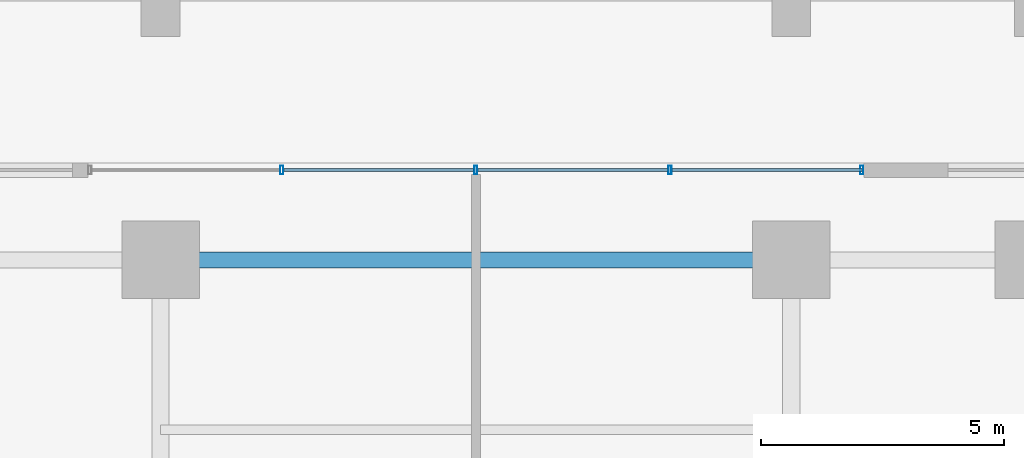
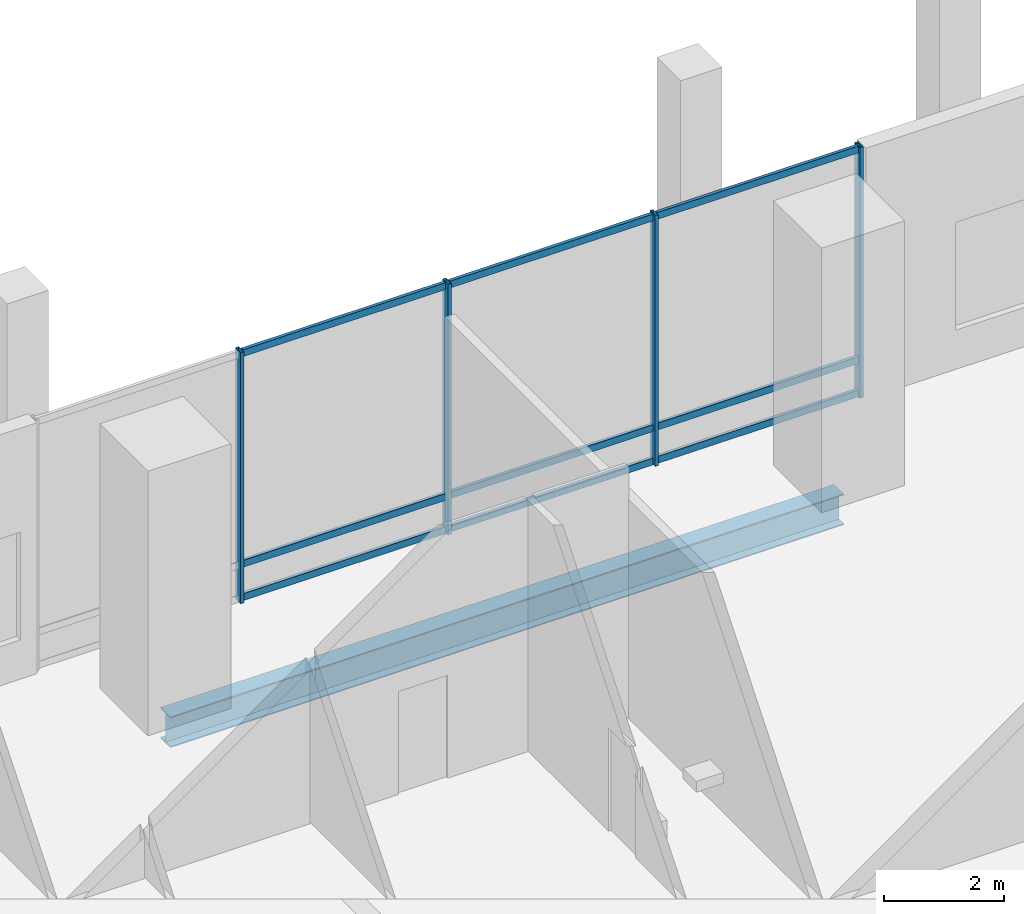
# One storey, part 17 of 36: 13 members, 1 beam, 1 element without a shape of its own.
"""IFC4 building model written with IfcOpenShell, lengths in metres."""

import ifcopenshell
import ifcopenshell.guid

model = None  # the IFC model being written
_history = None  # IfcOwnerHistory: only IFC2X3 demands one
_inside = {}  # id of a spatial element -> (the spatial element, [elements in it])
_under = {}  # id of a project, library or spatial element -> (it, [spatial elements below it])
_declared = {}  # id of a project -> (the project, [libraries it declares])
_typed = {}  # id of a type object -> (the type object, [elements of that type])
_made_of = {}  # id of a material, layer set ... -> (it, [elements and type objects made of it])


def new_model(schema):
    """Start an empty IFC model of exactly this schema.

    Asked for "IFC4X3", IfcOpenShell would pick the latest addendum, in which some entities
    have other attributes; the version numbers below select the first issue.
    IFC2X3 requires an IfcOwnerHistory on every rooted entity: one is made here for all.
    """
    global model, _history
    if schema == "IFC4X3":
        model = ifcopenshell.file(schema_version=(4, 3, 0, 0))
    else:
        model = ifcopenshell.file(schema=schema)
    _inside.clear()
    _under.clear()
    _declared.clear()
    _typed.clear()
    _made_of.clear()
    _history = None
    if model.schema == "IFC2X3":
        org = make("IfcOrganization", Name="unknown")
        user = make(
            "IfcPersonAndOrganization",
            ThePerson=make("IfcPerson", FamilyName="unknown"),
            TheOrganization=org,
        )
        app = make(
            "IfcApplication",
            ApplicationDeveloper=org,
            Version="unknown",
            ApplicationFullName="unknown",
            ApplicationIdentifier="unknown",
        )
        _history = make(
            "IfcOwnerHistory",
            OwningUser=user,
            OwningApplication=app,
            ChangeAction="ADDED",
            CreationDate=0,
        )
    return model


def make(cls, **values):
    """One entity of the class cls with the attributes given. An attribute that is None is left unset."""
    return model.create_entity(
        cls, **{name: value for name, value in values.items() if value is not None}
    )


def rooted(cls, **values):
    """An entity with a GlobalId (a new one), such as an element, a storey or a relation."""
    return make(cls, GlobalId=ifcopenshell.guid.new(), OwnerHistory=_history, **values)


def si_unit(unit_type, name, prefix=None):
    """IfcSIUnit, for example si_unit("LENGTHUNIT", "METRE", prefix="MILLI")."""
    return make("IfcSIUnit", UnitType=unit_type, Prefix=prefix, Name=name)


def assignment(units):
    """IfcUnitAssignment: the units of a project."""
    return None if units is None else make("IfcUnitAssignment", Units=units)


def point(xyz):
    """IfcCartesianPoint."""
    return None if xyz is None else make("IfcCartesianPoint", Coordinates=xyz)


def direction(xyz):
    """IfcDirection."""
    return None if xyz is None else make("IfcDirection", DirectionRatios=xyz)


def frame(location, z_axis=None, x_axis=None):
    """IfcAxis2Placement3D, a coordinate frame: its origin and axes. An axis left out is left unset."""
    return make(
        "IfcAxis2Placement3D",
        Location=point(location),
        Axis=direction(z_axis),
        RefDirection=direction(x_axis),
    )


def frame_2d(location, x_axis=None):
    """IfcAxis2Placement2D, a coordinate frame in the plane: its origin and x axis."""
    return make(
        "IfcAxis2Placement2D", Location=point(location), RefDirection=direction(x_axis)
    )


def origin():
    """The frame at (0, 0, 0) with its axes left unset."""
    return frame((0.0, 0.0, 0.0))


def origin_2d():
    """The frame at (0, 0) in the plane with its x axis left unset."""
    return frame_2d((0.0, 0.0))


def place(relative_to, where):
    """IfcLocalPlacement: puts the frame where relative to a parent placement (None: the world)."""
    return make(
        "IfcLocalPlacement", PlacementRelTo=relative_to, RelativePlacement=where
    )


def context(
    kind, dimensions, precision=None, world=None, true_north=None, identifier=None
):
    """IfcGeometricRepresentationContext, for example the 3D "Model" context."""
    return make(
        "IfcGeometricRepresentationContext",
        ContextIdentifier=identifier,
        ContextType=kind,
        CoordinateSpaceDimension=dimensions,
        Precision=precision,
        WorldCoordinateSystem=world,
        TrueNorth=true_north,
    )


def subcontext(parent, identifier, kind, view, scale=None):
    """IfcGeometricRepresentationSubContext, for example "Body" below "Model"."""
    return make(
        "IfcGeometricRepresentationSubContext",
        ContextIdentifier=identifier,
        ContextType=kind,
        ParentContext=parent,
        TargetScale=scale,
        TargetView=view,
    )


def project(units=None, contexts=None):
    """IfcProject with its units and contexts."""
    return rooted(
        "IfcProject",
        Name="project",
        RepresentationContexts=contexts,
        UnitsInContext=assignment(units),
    )


def spatial(cls, under=None, at=None, **own):
    """A site, building, storey or space (cls), placed at a placement, below another one or the project."""
    s = rooted(cls, ObjectPlacement=at, **own)
    if under is not None:
        _under.setdefault(under.id(), (under, []))[1].append(s)
    return s


def profile(cls, at=None, kind="AREA", **sizes):
    """A parametric profile (cls). Its sizes go by their IFC names, for example OverallWidth=200.0."""
    return make(cls, ProfileType=kind, Position=at, **sizes)


def hollow_rectangle(**sizes):
    """IfcRectangleHollowProfileDef."""
    return profile("IfcRectangleHollowProfileDef", **sizes)


def i_section(**sizes):
    """IfcIShapeProfileDef."""
    return profile("IfcIShapeProfileDef", **sizes)


def extrude(swept, where, along, depth):
    """IfcExtrudedAreaSolid: the profile swept, set in the frame where, extruded along a direction by depth."""
    return make(
        "IfcExtrudedAreaSolid",
        SweptArea=swept,
        Position=where,
        ExtrudedDirection=direction(along),
        Depth=depth,
    )


def shape(context_of_items, identifier, shape_type, items):
    """IfcShapeRepresentation: the items that make up one representation, for example the "Body"."""
    return make(
        "IfcShapeRepresentation",
        ContextOfItems=context_of_items,
        RepresentationIdentifier=identifier,
        RepresentationType=shape_type,
        Items=items,
    )


def material(Name=None, Category=None):
    """IfcMaterial."""
    return make("IfcMaterial", Name=Name, Category=Category)


def layer(
    of_material, thickness, ventilated=None, Name=None, Category=None, Priority=None
):
    """IfcMaterialLayer: one layer of a wall or slab, of a material (None: an air gap)."""
    return make(
        "IfcMaterialLayer",
        Material=of_material,
        LayerThickness=thickness,
        IsVentilated=ventilated,
        Name=Name,
        Category=Category,
        Priority=Priority,
    )


def layer_set(layers, Name=None):
    """IfcMaterialLayerSet."""
    return make("IfcMaterialLayerSet", MaterialLayers=layers, LayerSetName=Name)


def material_profile(
    of_material, cross_section, Name=None, Category=None, Priority=None
):
    """IfcMaterialProfile: a cross section and its material."""
    return make(
        "IfcMaterialProfile",
        Name=Name,
        Material=of_material,
        Profile=cross_section,
        Priority=Priority,
        Category=Category,
    )


def profile_set(profiles, Name=None, composite=None):
    """IfcMaterialProfileSet."""
    return make(
        "IfcMaterialProfileSet",
        Name=Name,
        MaterialProfiles=profiles,
        CompositeProfile=composite,
    )


def made_of(thing, what):
    """Note that an element or type object is made of a material, layer set ...; save() writes the relation."""
    if what is not None:
        _made_of.setdefault(what.id(), (what, []))[1].append(thing)
    return thing


def type_object(cls, material=None, **own):
    """A type object (cls), such as IfcWallType, which elements share."""
    return made_of(rooted(cls, **own), material)


def element(
    cls,
    number,
    at=None,
    inside=None,
    cuts=None,
    type_object=None,
    material=None,
    context=None,
    identifier="Body",
    shape_type=None,
    held_by="IfcProductDefinitionShape",
    body=None,
    shapes=None,
    **own,
):
    """One element of the class cls, such as IfcWall. Its Tag is "e" and its number.

    at: its placement. inside: the storey or other place that contains it. cuts: it is an
    opening in that element (IfcRelVoidsElement). A single representation is given by context,
    identifier, shape_type and body (its items); several are given by shapes. held_by: the class
    of the entity that holds the representations. save() writes the other relations.
    """
    e = rooted(cls, Tag="e%d" % number, ObjectPlacement=at, **own)
    if body is not None:
        shapes = [shape(context, identifier, shape_type, body)]
    if shapes is not None:
        e.Representation = make(held_by, Representations=shapes)
    if inside is not None:
        _inside.setdefault(inside.id(), (inside, []))[1].append(e)
    if cuts is not None:
        rooted(
            "IfcRelVoidsElement", RelatingBuildingElement=cuts, RelatedOpeningElement=e
        )
    if type_object is not None:
        _typed.setdefault(type_object.id(), (type_object, []))[1].append(e)
    return made_of(e, material)


def aggregate(whole, parts):
    """IfcRelAggregates: a whole, such as a stair, and the parts it consists of."""
    return rooted("IfcRelAggregates", RelatingObject=whole, RelatedObjects=parts)


def save(model, path):
    """Write the relations noted so far, then the file.

    IfcRelAggregates (storeys below a building ...), IfcRelContainedInSpatialStructure (elements
    in a storey), IfcRelDefinesByType, IfcRelAssociatesMaterial and IfcRelDeclares: one each for
    every whole, place, type object, material and project.
    """
    for whole, parts in _under.values():
        aggregate(whole, parts)
    for where, things in _inside.values():
        rooted(
            "IfcRelContainedInSpatialStructure",
            RelatedElements=things,
            RelatingStructure=where,
        )
    for kind, things in _typed.values():
        rooted("IfcRelDefinesByType", RelatedObjects=things, RelatingType=kind)
    for what, things in _made_of.values():
        rooted("IfcRelAssociatesMaterial", RelatedObjects=things, RelatingMaterial=what)
    for by, libraries in _declared.values():
        rooted("IfcRelDeclares", RelatingContext=by, RelatedDefinitions=libraries)
    model.write(path)


model = new_model("IFC4")

# Units and contexts
model_context = context("Model", 3, precision=1e-05, world=origin(), true_north=direction((0.0, 1.0)))
body_context = subcontext(model_context, "Body", "Model", "MODEL_VIEW")
ifc_project = project(units=[si_unit("LENGTHUNIT", "METRE"), si_unit("AREAUNIT", "SQUARE_METRE"), si_unit("VOLUMEUNIT", "CUBIC_METRE"), si_unit("PLANEANGLEUNIT", "RADIAN"), si_unit("MASSUNIT", "GRAM", prefix="KILO")], contexts=[model_context])

# Site, building, storey
site_placement = place(None, origin())
site = spatial("IfcSite", under=ifc_project, at=site_placement, CompositionType="ELEMENT")
building_placement = place(site_placement, origin())
building = spatial("IfcBuilding", under=site, at=building_placement, Name="Barlavira Tower and Art Museum", CompositionType="ELEMENT")
storey_placement = place(building_placement, frame((0.0, 0.0, 11.39990234375)))
storey = spatial("IfcBuildingStorey", under=building, at=storey_placement, Name="L02", CompositionType="ELEMENT", Elevation=11.39990234375)

# Curtain wall, members
ifc_material_1 = material(Name="Low-iron coastal laminated glass", Category="glass")
ifc_layer = layer(ifc_material_1, 0.179931640625, Name="Low-iron coastal laminated glass")
ifc_layer_set = layer_set([ifc_layer], Name="Low-iron coastal laminated glass")
curtain_wall_type = type_object("IfcCurtainWallType", Name="Pale-Metal Unitised Curtain Wall Zone 1", PredefinedType="NOTDEFINED", material=ifc_layer_set)
curtain_wall_placement = place(storey_placement, origin())
curtain_wall = element("IfcCurtainWall", 1, at=curtain_wall_placement, inside=storey, type_object=curtain_wall_type, Name="L02 Curtain Wall CW1-L02-N", PredefinedType="NOTDEFINED")
ifc_material_2 = material(Name="Pale anodised aluminium", Category="aluminium")
ifc_material_profile_1 = material_profile(ifc_material_2, hollow_rectangle(XDim=0.06494140625, YDim=0.179931640625, WallThickness=0.00390625, at=origin_2d()), Name="ALU-MULL 65x180x4")
ifc_profile_set_1 = profile_set([ifc_material_profile_1], Name="Pale anodised aluminium")
member_type_1 = type_object("IfcMemberType", Name="Curtain Wall Pale-Metal Mullion 65x180", PredefinedType="MULLION", material=ifc_profile_set_1)
member_1_placement = place(storey_placement, frame((7.955078125, 21.85009765625, 0.0), z_axis=(0.0, 0.0, 1.0), x_axis=(-1.0, 0.0, 0.0)))
member_1 = element("IfcMember", 2, at=member_1_placement, type_object=member_type_1, Name="CW1-L02-N Mullion 0", PredefinedType="MULLION", context=body_context, shape_type="SweptSolid", body=[
    extrude(hollow_rectangle(XDim=0.06494140625, YDim=0.179931640625, WallThickness=0.00390625, at=origin_2d()), origin(), (0.0, 0.0, 1.0), 5.1201171875),
])
member_2_placement = place(storey_placement, frame((4.0, 21.85009765625, 0.0), z_axis=(0.0, 0.0, 1.0), x_axis=(-1.0, 0.0, 0.0)))
member_2 = element("IfcMember", 3, at=member_2_placement, type_object=member_type_1, Name="CW1-L02-N Mullion 1", PredefinedType="MULLION", context=body_context, shape_type="SweptSolid", body=[
    extrude(hollow_rectangle(XDim=0.06494140625, YDim=0.179931640625, WallThickness=0.00390625, at=origin_2d()), origin(), (0.0, 0.0, 1.0), 5.1201171875),
])
member_3_placement = place(storey_placement, frame((0.0, 21.85009765625, 0.0), z_axis=(0.0, 0.0, 1.0), x_axis=(-1.0, 0.0, 0.0)))
member_3 = element("IfcMember", 4, at=member_3_placement, type_object=member_type_1, Name="CW1-L02-N Mullion 2", PredefinedType="MULLION", context=body_context, shape_type="SweptSolid", body=[
    extrude(hollow_rectangle(XDim=0.06494140625, YDim=0.179931640625, WallThickness=0.00390625, at=origin_2d()), origin(), (0.0, 0.0, 1.0), 5.1201171875),
])
member_4_placement = place(storey_placement, frame((-4.0, 21.85009765625, 0.0), z_axis=(0.0, 0.0, 1.0), x_axis=(-1.0, 0.0, 0.0)))
member_4 = element("IfcMember", 5, at=member_4_placement, type_object=member_type_1, Name="CW1-L02-N Mullion 3", PredefinedType="MULLION", context=body_context, shape_type="SweptSolid", body=[
    extrude(hollow_rectangle(XDim=0.06494140625, YDim=0.179931640625, WallThickness=0.00390625, at=origin_2d()), origin(), (0.0, 0.0, 1.0), 5.1201171875),
])
ifc_material_profile_2 = material_profile(ifc_material_2, hollow_rectangle(XDim=0.06494140625, YDim=0.139892578125, WallThickness=0.00390625, at=origin_2d()), Name="ALU-TRAN 65x140x4")
ifc_profile_set_2 = profile_set([ifc_material_profile_2], Name="Pale anodised aluminium")
member_type_2 = type_object("IfcMemberType", Name="Curtain Wall Pale-Metal Transom 65x140", PredefinedType="USERDEFINED", material=ifc_profile_set_2)
member_5_placement = place(storey_placement, frame((7.955078125, 21.85009765625, 0.070068359375), z_axis=(-1.0, 0.0, 0.0), x_axis=(0.0, -1.0, 0.0)))
member_5 = element("IfcMember", 6, at=member_5_placement, type_object=member_type_2, Name="CW1-L02-N Transom 0.1", ObjectType="TRANSOM", PredefinedType="USERDEFINED", context=body_context, shape_type="SweptSolid", body=[
    extrude(hollow_rectangle(XDim=0.06494140625, YDim=0.139892578125, WallThickness=0.00390625, at=origin_2d()), origin(), (0.0, 0.0, 1.0), 3.91015625),
])
member_6_placement = place(storey_placement, frame((7.955078125, 21.85009765625, 0.75), z_axis=(-1.0, 0.0, 0.0), x_axis=(0.0, -1.0, 0.0)))
member_6 = element("IfcMember", 7, at=member_6_placement, type_object=member_type_2, Name="CW1-L02-N Transom 0.2", ObjectType="TRANSOM", PredefinedType="USERDEFINED", context=body_context, shape_type="SweptSolid", body=[
    extrude(hollow_rectangle(XDim=0.06494140625, YDim=0.139892578125, WallThickness=0.00390625, at=origin_2d()), origin(), (0.0, 0.0, 1.0), 3.91015625),
])
member_7_placement = place(storey_placement, frame((7.955078125, 21.85009765625, 5.050048828125), z_axis=(-1.0, 0.0, 0.0), x_axis=(0.0, -1.0, 0.0)))
member_7 = element("IfcMember", 8, at=member_7_placement, type_object=member_type_2, Name="CW1-L02-N Transom 0.3", ObjectType="TRANSOM", PredefinedType="USERDEFINED", context=body_context, shape_type="SweptSolid", body=[
    extrude(hollow_rectangle(XDim=0.06494140625, YDim=0.139892578125, WallThickness=0.00390625, at=origin_2d()), origin(), (0.0, 0.0, 1.0), 3.91015625),
])
member_8_placement = place(storey_placement, frame((3.955078125, 21.85009765625, 0.070068359375), z_axis=(-1.0, 0.0, 0.0), x_axis=(0.0, -1.0, 0.0)))
member_8 = element("IfcMember", 9, at=member_8_placement, type_object=member_type_2, Name="CW1-L02-N Transom 1.1", ObjectType="TRANSOM", PredefinedType="USERDEFINED", context=body_context, shape_type="SweptSolid", body=[
    extrude(hollow_rectangle(XDim=0.06494140625, YDim=0.139892578125, WallThickness=0.00390625, at=origin_2d()), origin(), (0.0, 0.0, 1.0), 3.91015625),
])
member_9_placement = place(storey_placement, frame((3.955078125, 21.85009765625, 0.75), z_axis=(-1.0, 0.0, 0.0), x_axis=(0.0, -1.0, 0.0)))
member_9 = element("IfcMember", 10, at=member_9_placement, type_object=member_type_2, Name="CW1-L02-N Transom 1.2", ObjectType="TRANSOM", PredefinedType="USERDEFINED", context=body_context, shape_type="SweptSolid", body=[
    extrude(hollow_rectangle(XDim=0.06494140625, YDim=0.139892578125, WallThickness=0.00390625, at=origin_2d()), origin(), (0.0, 0.0, 1.0), 3.91015625),
])
member_10_placement = place(storey_placement, frame((3.955078125, 21.85009765625, 5.050048828125), z_axis=(-1.0, 0.0, 0.0), x_axis=(0.0, -1.0, 0.0)))
member_10 = element("IfcMember", 11, at=member_10_placement, type_object=member_type_2, Name="CW1-L02-N Transom 1.3", ObjectType="TRANSOM", PredefinedType="USERDEFINED", context=body_context, shape_type="SweptSolid", body=[
    extrude(hollow_rectangle(XDim=0.06494140625, YDim=0.139892578125, WallThickness=0.00390625, at=origin_2d()), origin(), (0.0, 0.0, 1.0), 3.91015625),
])
member_11_placement = place(storey_placement, frame((-0.044921875, 21.85009765625, 0.070068359375), z_axis=(-1.0, 0.0, 0.0), x_axis=(0.0, -1.0, 0.0)))
member_11 = element("IfcMember", 12, at=member_11_placement, type_object=member_type_2, Name="CW1-L02-N Transom 2.1", ObjectType="TRANSOM", PredefinedType="USERDEFINED", context=body_context, shape_type="SweptSolid", body=[
    extrude(hollow_rectangle(XDim=0.06494140625, YDim=0.139892578125, WallThickness=0.00390625, at=origin_2d()), origin(), (0.0, 0.0, 1.0), 3.91015625),
])
member_12_placement = place(storey_placement, frame((-0.044921875, 21.85009765625, 0.75), z_axis=(-1.0, 0.0, 0.0), x_axis=(0.0, -1.0, 0.0)))
member_12 = element("IfcMember", 13, at=member_12_placement, type_object=member_type_2, Name="CW1-L02-N Transom 2.2", ObjectType="TRANSOM", PredefinedType="USERDEFINED", context=body_context, shape_type="SweptSolid", body=[
    extrude(hollow_rectangle(XDim=0.06494140625, YDim=0.139892578125, WallThickness=0.00390625, at=origin_2d()), origin(), (0.0, 0.0, 1.0), 3.91015625),
])
member_13_placement = place(storey_placement, frame((-0.044921875, 21.85009765625, 5.050048828125), z_axis=(-1.0, 0.0, 0.0), x_axis=(0.0, -1.0, 0.0)))
member_13 = element("IfcMember", 14, at=member_13_placement, type_object=member_type_2, Name="CW1-L02-N Transom 2.3", ObjectType="TRANSOM", PredefinedType="USERDEFINED", context=body_context, shape_type="SweptSolid", body=[
    extrude(hollow_rectangle(XDim=0.06494140625, YDim=0.139892578125, WallThickness=0.00390625, at=origin_2d()), origin(), (0.0, 0.0, 1.0), 3.91015625),
])
aggregate(curtain_wall, [member_1, member_2, member_3, member_4, member_5, member_6, member_7, member_8, member_9, member_10, member_11, member_12, member_13])

# Beam
ifc_material_3 = material(Name="Steel S355", Category="steel")
ifc_material_profile_3 = material_profile(ifc_material_3, i_section(OverallWidth=0.327880859375, OverallDepth=0.62890625, WebThickness=0.013916015625, FlangeThickness=0.021484375, at=origin_2d()), Name="W610x174.0")
ifc_profile_set_3 = profile_set([ifc_material_profile_3], Name="Steel S355")
beam_type = type_object("IfcBeamType", Name="Perimeter Spandrel Edge Beam W610x174 Steel S355", PredefinedType="SPANDREL", material=ifc_profile_set_3)
beam_placement = place(storey_placement, frame((-6.5, 20.0, -0.594482421875), z_axis=(1.0, 0.0, 0.0), x_axis=(0.0, 1.0, 0.0)))
element("IfcBeam", 15, at=beam_placement, inside=storey, type_object=beam_type, Name="L02 Podium Spandrel PN3", PredefinedType="SPANDREL", context=body_context, shape_type="SweptSolid", body=[
    extrude(i_section(OverallWidth=0.327880859375, OverallDepth=0.62890625, WebThickness=0.013916015625, FlangeThickness=0.021484375, at=origin_2d()), origin(), (0.0, 0.0, 1.0), 13.0),
])

save(model, "model.ifc")
